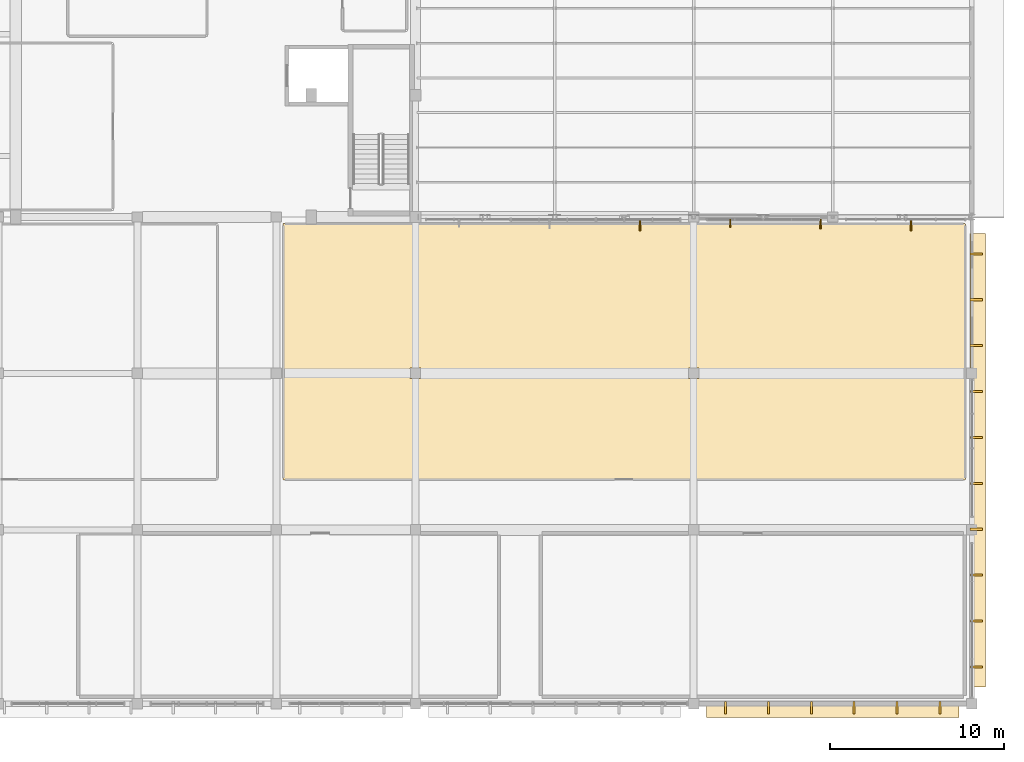
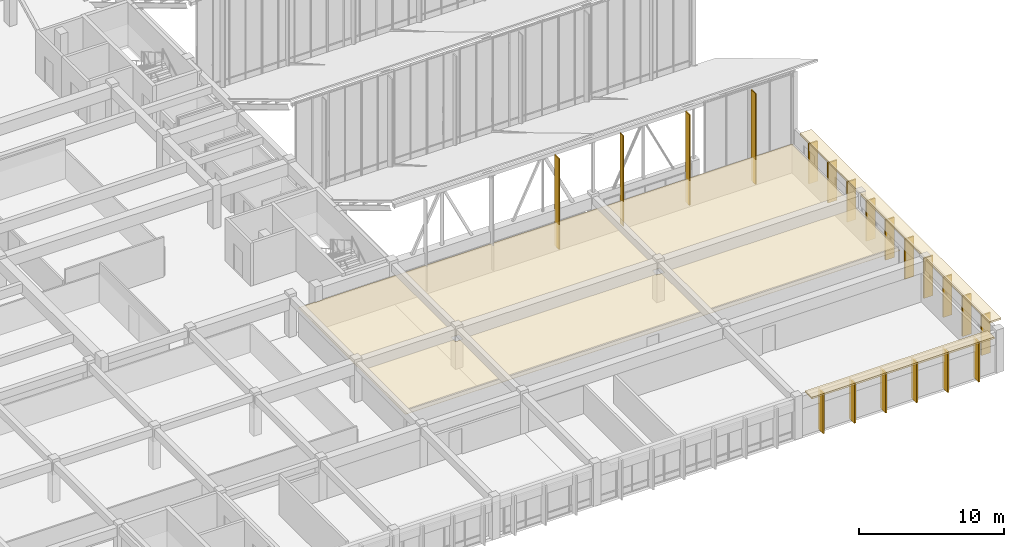
# One storey, part 147 of 155: 19 coverings, 4 shading devices.
"""IFC4 building model written with IfcOpenShell, lengths in metres."""

import ifcopenshell
import ifcopenshell.guid

model = None  # the IFC model being written
_history = None  # IfcOwnerHistory: only IFC2X3 demands one
_inside = {}  # id of a spatial element -> (the spatial element, [elements in it])
_under = {}  # id of a project, library or spatial element -> (it, [spatial elements below it])
_declared = {}  # id of a project -> (the project, [libraries it declares])
_typed = {}  # id of a type object -> (the type object, [elements of that type])
_made_of = {}  # id of a material, layer set ... -> (it, [elements and type objects made of it])


def new_model(schema):
    """Start an empty IFC model of exactly this schema.

    Asked for "IFC4X3", IfcOpenShell would pick the latest addendum, in which some entities
    have other attributes; the version numbers below select the first issue.
    IFC2X3 requires an IfcOwnerHistory on every rooted entity: one is made here for all.
    """
    global model, _history
    if schema == "IFC4X3":
        model = ifcopenshell.file(schema_version=(4, 3, 0, 0))
    else:
        model = ifcopenshell.file(schema=schema)
    _inside.clear()
    _under.clear()
    _declared.clear()
    _typed.clear()
    _made_of.clear()
    _history = None
    if model.schema == "IFC2X3":
        org = make("IfcOrganization", Name="unknown")
        user = make(
            "IfcPersonAndOrganization",
            ThePerson=make("IfcPerson", FamilyName="unknown"),
            TheOrganization=org,
        )
        app = make(
            "IfcApplication",
            ApplicationDeveloper=org,
            Version="unknown",
            ApplicationFullName="unknown",
            ApplicationIdentifier="unknown",
        )
        _history = make(
            "IfcOwnerHistory",
            OwningUser=user,
            OwningApplication=app,
            ChangeAction="ADDED",
            CreationDate=0,
        )
    return model


def make(cls, **values):
    """One entity of the class cls with the attributes given. An attribute that is None is left unset."""
    return model.create_entity(
        cls, **{name: value for name, value in values.items() if value is not None}
    )


def rooted(cls, **values):
    """An entity with a GlobalId (a new one), such as an element, a storey or a relation."""
    return make(cls, GlobalId=ifcopenshell.guid.new(), OwnerHistory=_history, **values)


def si_unit(unit_type, name, prefix=None):
    """IfcSIUnit, for example si_unit("LENGTHUNIT", "METRE", prefix="MILLI")."""
    return make("IfcSIUnit", UnitType=unit_type, Prefix=prefix, Name=name)


def assignment(units):
    """IfcUnitAssignment: the units of a project."""
    return None if units is None else make("IfcUnitAssignment", Units=units)


def point(xyz):
    """IfcCartesianPoint."""
    return None if xyz is None else make("IfcCartesianPoint", Coordinates=xyz)


def direction(xyz):
    """IfcDirection."""
    return None if xyz is None else make("IfcDirection", DirectionRatios=xyz)


def frame(location, z_axis=None, x_axis=None):
    """IfcAxis2Placement3D, a coordinate frame: its origin and axes. An axis left out is left unset."""
    return make(
        "IfcAxis2Placement3D",
        Location=point(location),
        Axis=direction(z_axis),
        RefDirection=direction(x_axis),
    )


def frame_2d(location, x_axis=None):
    """IfcAxis2Placement2D, a coordinate frame in the plane: its origin and x axis."""
    return make(
        "IfcAxis2Placement2D", Location=point(location), RefDirection=direction(x_axis)
    )


def origin():
    """The frame at (0, 0, 0) with its axes left unset."""
    return frame((0.0, 0.0, 0.0))


def origin_2d():
    """The frame at (0, 0) in the plane with its x axis left unset."""
    return frame_2d((0.0, 0.0))


def place(relative_to, where):
    """IfcLocalPlacement: puts the frame where relative to a parent placement (None: the world)."""
    return make(
        "IfcLocalPlacement", PlacementRelTo=relative_to, RelativePlacement=where
    )


def context(
    kind, dimensions, precision=None, world=None, true_north=None, identifier=None
):
    """IfcGeometricRepresentationContext, for example the 3D "Model" context."""
    return make(
        "IfcGeometricRepresentationContext",
        ContextIdentifier=identifier,
        ContextType=kind,
        CoordinateSpaceDimension=dimensions,
        Precision=precision,
        WorldCoordinateSystem=world,
        TrueNorth=true_north,
    )


def subcontext(parent, identifier, kind, view, scale=None):
    """IfcGeometricRepresentationSubContext, for example "Body" below "Model"."""
    return make(
        "IfcGeometricRepresentationSubContext",
        ContextIdentifier=identifier,
        ContextType=kind,
        ParentContext=parent,
        TargetScale=scale,
        TargetView=view,
    )


def project(units=None, contexts=None):
    """IfcProject with its units and contexts."""
    return rooted(
        "IfcProject",
        Name="project",
        RepresentationContexts=contexts,
        UnitsInContext=assignment(units),
    )


def spatial(cls, under=None, at=None, **own):
    """A site, building, storey or space (cls), placed at a placement, below another one or the project."""
    s = rooted(cls, ObjectPlacement=at, **own)
    if under is not None:
        _under.setdefault(under.id(), (under, []))[1].append(s)
    return s


def polyline(points):
    """IfcPolyline through the points."""
    return make("IfcPolyline", Points=[point(p) for p in points])


def profile(cls, at=None, kind="AREA", **sizes):
    """A parametric profile (cls). Its sizes go by their IFC names, for example OverallWidth=200.0."""
    return make(cls, ProfileType=kind, Position=at, **sizes)


def rectangle(**sizes):
    """IfcRectangleProfileDef."""
    return profile("IfcRectangleProfileDef", **sizes)


def outline(outer, holes=None, kind="AREA"):
    """IfcArbitraryClosedProfileDef: a profile drawn as a closed curve; with holes, ...WithVoids."""
    if holes is None:
        return make("IfcArbitraryClosedProfileDef", ProfileType=kind, OuterCurve=outer)
    return make(
        "IfcArbitraryProfileDefWithVoids",
        ProfileType=kind,
        OuterCurve=outer,
        InnerCurves=holes,
    )


def extrude(swept, where, along, depth):
    """IfcExtrudedAreaSolid: the profile swept, set in the frame where, extruded along a direction by depth."""
    return make(
        "IfcExtrudedAreaSolid",
        SweptArea=swept,
        Position=where,
        ExtrudedDirection=direction(along),
        Depth=depth,
    )


def shape(context_of_items, identifier, shape_type, items):
    """IfcShapeRepresentation: the items that make up one representation, for example the "Body"."""
    return make(
        "IfcShapeRepresentation",
        ContextOfItems=context_of_items,
        RepresentationIdentifier=identifier,
        RepresentationType=shape_type,
        Items=items,
    )


def material(Name=None, Category=None):
    """IfcMaterial."""
    return make("IfcMaterial", Name=Name, Category=Category)


def layer(
    of_material, thickness, ventilated=None, Name=None, Category=None, Priority=None
):
    """IfcMaterialLayer: one layer of a wall or slab, of a material (None: an air gap)."""
    return make(
        "IfcMaterialLayer",
        Material=of_material,
        LayerThickness=thickness,
        IsVentilated=ventilated,
        Name=Name,
        Category=Category,
        Priority=Priority,
    )


def layer_set(layers, Name=None):
    """IfcMaterialLayerSet."""
    return make("IfcMaterialLayerSet", MaterialLayers=layers, LayerSetName=Name)


def made_of(thing, what):
    """Note that an element or type object is made of a material, layer set ...; save() writes the relation."""
    if what is not None:
        _made_of.setdefault(what.id(), (what, []))[1].append(thing)
    return thing


def type_object(cls, material=None, **own):
    """A type object (cls), such as IfcWallType, which elements share."""
    return made_of(rooted(cls, **own), material)


def element(
    cls,
    number,
    at=None,
    inside=None,
    cuts=None,
    type_object=None,
    material=None,
    context=None,
    identifier="Body",
    shape_type=None,
    held_by="IfcProductDefinitionShape",
    body=None,
    shapes=None,
    **own,
):
    """One element of the class cls, such as IfcWall. Its Tag is "e" and its number.

    at: its placement. inside: the storey or other place that contains it. cuts: it is an
    opening in that element (IfcRelVoidsElement). A single representation is given by context,
    identifier, shape_type and body (its items); several are given by shapes. held_by: the class
    of the entity that holds the representations. save() writes the other relations.
    """
    e = rooted(cls, Tag="e%d" % number, ObjectPlacement=at, **own)
    if body is not None:
        shapes = [shape(context, identifier, shape_type, body)]
    if shapes is not None:
        e.Representation = make(held_by, Representations=shapes)
    if inside is not None:
        _inside.setdefault(inside.id(), (inside, []))[1].append(e)
    if cuts is not None:
        rooted(
            "IfcRelVoidsElement", RelatingBuildingElement=cuts, RelatedOpeningElement=e
        )
    if type_object is not None:
        _typed.setdefault(type_object.id(), (type_object, []))[1].append(e)
    return made_of(e, material)


def aggregate(whole, parts):
    """IfcRelAggregates: a whole, such as a stair, and the parts it consists of."""
    return rooted("IfcRelAggregates", RelatingObject=whole, RelatedObjects=parts)


def save(model, path):
    """Write the relations noted so far, then the file.

    IfcRelAggregates (storeys below a building ...), IfcRelContainedInSpatialStructure (elements
    in a storey), IfcRelDefinesByType, IfcRelAssociatesMaterial and IfcRelDeclares: one each for
    every whole, place, type object, material and project.
    """
    for whole, parts in _under.values():
        aggregate(whole, parts)
    for where, things in _inside.values():
        rooted(
            "IfcRelContainedInSpatialStructure",
            RelatedElements=things,
            RelatingStructure=where,
        )
    for kind, things in _typed.values():
        rooted("IfcRelDefinesByType", RelatedObjects=things, RelatingType=kind)
    for what, things in _made_of.values():
        rooted("IfcRelAssociatesMaterial", RelatedObjects=things, RelatingMaterial=what)
    for by, libraries in _declared.values():
        rooted("IfcRelDeclares", RelatingContext=by, RelatedDefinitions=libraries)
    model.write(path)


model = new_model("IFC4")

# Units and contexts
model_context = context("Model", 3, precision=1e-05, world=origin(), true_north=direction((0.0, 1.0)))
body_context = subcontext(model_context, "Body", "Model", "MODEL_VIEW")
ifc_project = project(units=[si_unit("LENGTHUNIT", "METRE"), si_unit("AREAUNIT", "SQUARE_METRE"), si_unit("VOLUMEUNIT", "CUBIC_METRE"), si_unit("PLANEANGLEUNIT", "RADIAN"), si_unit("MASSUNIT", "GRAM", prefix="KILO")], contexts=[model_context])

# Site, building, storey
site_placement = place(None, origin())
site = spatial("IfcSite", under=ifc_project, at=site_placement, CompositionType="ELEMENT")
building_placement = place(site_placement, origin())
building = spatial("IfcBuilding", under=site, at=building_placement, Name="Larkveld Mobility Hub", CompositionType="ELEMENT")
storey_placement = place(building_placement, frame((0.0, 0.0, 8.39990234375)))
storey = spatial("IfcBuildingStorey", under=building, at=storey_placement, Name="L02", CompositionType="ELEMENT", Elevation=8.39990234375)

# Coverings
ifc_material_1 = material(Name="Precast concrete C50/60", Category="concrete")
ifc_layer_1 = layer(ifc_material_1, 0.14990234375, Name="Precast concrete C50/60", Category="concrete")
ifc_layer_set_1 = layer_set([ifc_layer_1], Name="Precast concrete C50/60")
covering_type_1 = type_object("IfcCoveringType", Name="COV-QSL-H01", PredefinedType="CLADDING", material=ifc_layer_set_1)
covering_1_placement = place(storey_placement, frame((176.0, -0.340087890625, 3.3701171875), z_axis=(0.0, 0.0, 1.0), x_axis=(1.0, 0.0, 0.0)))
element("IfcCovering", 1, at=covering_1_placement, inside=storey, type_object=covering_type_1, Name="Precast Quebra-Sol Horizontal Sunbreaker QSH-270", PredefinedType="CLADDING", context=body_context, shape_type="SweptSolid", body=[
    extrude(rectangle(XDim=14.5, YDim=0.919921875, at=origin_2d()), origin(), (0.0, 0.0, 1.0), 0.14990234375),
])
covering_2_placement = place(storey_placement, frame((184.340087890625, 14.0, 3.3701171875), z_axis=(0.0, 0.0, 1.0), x_axis=(0.0, 1.0, 0.0)))
element("IfcCovering", 2, at=covering_2_placement, inside=storey, type_object=covering_type_1, Name="Precast Quebra-Sol Horizontal Sunbreaker QSH-277", PredefinedType="CLADDING", context=body_context, shape_type="SweptSolid", body=[
    extrude(rectangle(XDim=26.10009765625, YDim=0.919921875, at=origin_2d()), origin(), (0.0, 0.0, 1.0), 0.14990234375),
])
ifc_layer_2 = layer(ifc_material_1, 0.1201171875, Name="Precast concrete C50/60", Category="concrete")
ifc_layer_set_2 = layer_set([ifc_layer_2], Name="Precast concrete C50/60")
covering_type_2 = type_object("IfcCoveringType", Name="COV-QSL-V01", PredefinedType="CLADDING", material=ifc_layer_set_2)
for number, where, z_axis, x_axis, name in (
    (3, (169.8330078125, -0.239990234375, -0.019287109375), (0.0, 0.0, 1.0), (1.0, 0.0, 0.0), "Precast Quebra-Sol Vertical Fin QSV-271"),
    (4, (172.300048828125, -0.239990234375, -0.019287109375), (0.0, 0.0, 1.0), (1.0, 0.0, 0.0), "Precast Quebra-Sol Vertical Fin QSV-272"),
    (5, (174.76708984375, -0.239990234375, -0.019287109375), (0.0, 0.0, 1.0), (1.0, 0.0, 0.0), "Precast Quebra-Sol Vertical Fin QSV-273"),
    (6, (177.23291015625, -0.239990234375, -0.019287109375), (0.0, 0.0, 1.0), (1.0, 0.0, 0.0), "Precast Quebra-Sol Vertical Fin QSV-274"),
    (7, (179.699951171875, -0.239990234375, -0.019287109375), (0.0, 0.0, 1.0), (1.0, 0.0, 0.0), "Precast Quebra-Sol Vertical Fin QSV-275"),
    (8, (182.1669921875, -0.239990234375, -0.019287109375), (0.0, 0.0, 1.0), (1.0, 0.0, 0.0), "Precast Quebra-Sol Vertical Fin QSV-276"),
    (9, (184.239990234375, 2.1201171875, -0.019287109375), (0.0, 0.0, 1.0), (0.0, 1.0, 0.0), "Precast Quebra-Sol Vertical Fin QSV-278"),
    (10, (184.239990234375, 4.760009765625, -0.019287109375), (0.0, 0.0, 1.0), (0.0, 1.0, 0.0), "Precast Quebra-Sol Vertical Fin QSV-279"),
    (11, (184.239990234375, 7.39990234375, -0.019287109375), (0.0, 0.0, 1.0), (0.0, 1.0, 0.0), "Precast Quebra-Sol Vertical Fin QSV-280"),
    (12, (184.239990234375, 10.0400390625, -0.019287109375), (0.0, 0.0, 1.0), (0.0, 1.0, 0.0), "Precast Quebra-Sol Vertical Fin QSV-281"),
    (13, (184.239990234375, 12.679931640625, -0.019287109375), (0.0, 0.0, 1.0), (0.0, 1.0, 0.0), "Precast Quebra-Sol Vertical Fin QSV-282"),
    (14, (184.239990234375, 15.320068359375, -0.019287109375), (0.0, 0.0, 1.0), (0.0, 1.0, 0.0), "Precast Quebra-Sol Vertical Fin QSV-283"),
    (15, (184.239990234375, 17.9599609375, -0.019287109375), (0.0, 0.0, 1.0), (0.0, 1.0, 0.0), "Precast Quebra-Sol Vertical Fin QSV-284"),
    (16, (184.239990234375, 20.60009765625, -0.019287109375), (0.0, 0.0, 1.0), (0.0, 1.0, 0.0), "Precast Quebra-Sol Vertical Fin QSV-285"),
    (17, (184.239990234375, 23.239990234375, -0.019287109375), (0.0, 0.0, 1.0), (0.0, 1.0, 0.0), "Precast Quebra-Sol Vertical Fin QSV-286"),
    (18, (184.239990234375, 25.8798828125, -0.019287109375), (0.0, 0.0, 1.0), (0.0, 1.0, 0.0), "Precast Quebra-Sol Vertical Fin QSV-287"),
):
    element("IfcCovering", number, at=place(storey_placement, frame(where, z_axis=z_axis, x_axis=x_axis)), inside=storey, type_object=covering_type_2, Name=name, PredefinedType="CLADDING", context=body_context, shape_type="SweptSolid", body=[
        extrude(rectangle(XDim=0.1201171875, YDim=0.719970703125, at=origin_2d()), origin(), (0.0, 0.0, 1.0), 3.375),
    ])
ifc_material_2 = material(Name="Moisture-resistant gypsum board ceiling", Category="masonry")
ifc_layer_3 = layer(ifc_material_2, 0.02490234375, Name="Moisture-resistant gypsum board ceiling", Category="masonry")
ifc_layer_set_3 = layer_set([ifc_layer_3], Name="Moisture-resistant gypsum board ceiling")
covering_type_3 = type_object("IfcCoveringType", Name="CV-CLG-025", PredefinedType="CEILING", material=ifc_layer_set_3)
covering_3_placement = place(storey_placement, frame((0.0, 0.0, 2.3251953125)))
element("IfcCovering", 19, at=covering_3_placement, inside=storey, type_object=covering_type_3, Name="Driver Simulation and Safety Training Suite Acoustic Ceiling 033", PredefinedType="CEILING", context=body_context, shape_type="SweptSolid", body=[
    extrude(outline(polyline([(144.4169921875, 12.8701171875), (144.4140625, 12.87109375), (144.410888671875, 12.87109375), (144.408935546875, 12.8720703125), (144.406005859375, 12.8740234375), (144.403076171875, 12.875), (144.40087890625, 12.876953125), (144.39892578125, 12.87890625), (144.37890625, 12.89892578125), (144.376953125, 12.90087890625), (144.375, 12.903076171875), (144.3740234375, 12.906005859375), (144.3720703125, 12.908935546875), (144.37109375, 12.910888671875), (144.37109375, 12.9140625), (144.3701171875, 12.9169921875), (144.3701171875, 12.919921875), (144.3701171875, 27.580078125), (144.3701171875, 27.5830078125), (144.37109375, 27.5859375), (144.37109375, 27.589111328125), (144.3720703125, 27.591064453125), (144.3740234375, 27.593994140625), (144.375, 27.596923828125), (144.386962890625, 27.614990234375), (144.388916015625, 27.617919921875), (144.39111328125, 27.6201171875), (144.39306640625, 27.6220703125), (144.39599609375, 27.623046875), (144.39794921875, 27.625), (144.40087890625, 27.6259765625), (144.404052734375, 27.626953125), (144.406005859375, 27.6279296875), (144.408935546875, 27.6279296875), (144.412109375, 27.6279296875), (145.695068359375, 27.62890625), (145.695068359375, 27.594970703125), (146.304931640625, 27.594970703125), (146.304931640625, 27.62890625), (183.580078125, 27.6298828125), (183.5830078125, 27.6298828125), (183.5859375, 27.62890625), (183.589111328125, 27.62890625), (183.591064453125, 27.6279296875), (183.593994140625, 27.6259765625), (183.596923828125, 27.625), (183.614990234375, 27.613037109375), (183.617919921875, 27.611083984375), (183.6201171875, 27.60888671875), (183.6220703125, 27.60693359375), (183.623046875, 27.60400390625), (183.625, 27.60205078125), (183.6259765625, 27.59912109375), (183.626953125, 27.595947265625), (183.6279296875, 27.593994140625), (183.6279296875, 27.591064453125), (183.6279296875, 27.587890625), (183.6298828125, 12.919921875), (183.6298828125, 12.9169921875), (183.62890625, 12.9140625), (183.62890625, 12.910888671875), (183.6279296875, 12.908935546875), (183.6259765625, 12.906005859375), (183.625, 12.903076171875), (183.613037109375, 12.885009765625), (183.611083984375, 12.882080078125), (183.60888671875, 12.8798828125), (183.60693359375, 12.8779296875), (183.60400390625, 12.876953125), (183.60205078125, 12.875), (183.59912109375, 12.8740234375), (183.595947265625, 12.873046875), (183.593994140625, 12.8720703125), (183.591064453125, 12.8720703125), (183.587890625, 12.8720703125), (144.419921875, 12.8701171875), (144.4169921875, 12.8701171875)]), holes=[polyline([(151.695068359375, 18.695068359375), (152.304931640625, 18.695068359375), (152.304931640625, 19.304931640625), (151.695068359375, 19.304931640625), (151.695068359375, 18.695068359375)]), polyline([(167.695068359375, 19.304931640625), (167.695068359375, 18.695068359375), (168.304931640625, 18.695068359375), (168.304931640625, 19.304931640625), (167.695068359375, 19.304931640625)])]), origin(), (0.0, 0.0, 1.0), 0.02490234375),
])

# Shading devices
ifc_layer_4 = layer(ifc_material_1, 0.06494140625, Name="Precast concrete C50/60", Category="concrete")
ifc_layer_set_4 = layer_set([ifc_layer_4], Name="Precast concrete C50/60")
shading_device_type_1 = type_object("IfcShadingDeviceType", Name="SHD-JAL-01", PredefinedType="JALOUSIE", material=ifc_layer_set_4)
shading_device_1_placement = place(storey_placement, frame((170.10009765625, 27.639892578125, 0.300048828125), z_axis=(0.0, 0.0, 1.0), x_axis=(1.0, 0.0, 0.0)))
element("IfcShadingDevice", 20, at=shading_device_1_placement, inside=storey, type_object=shading_device_type_1, Name="Sawtooth South-Light Brise-Soleil Fin SF-004", PredefinedType="JALOUSIE", context=body_context, shape_type="SweptSolid", body=[
    extrude(rectangle(XDim=0.06494140625, YDim=0.449951171875, at=origin_2d()), origin(), (0.0, 0.0, 1.0), 7.60009765625),
])
ifc_layer_5 = layer(ifc_material_1, 0.074951171875, Name="Precast concrete C50/60", Category="concrete")
ifc_layer_set_5 = layer_set([ifc_layer_5], Name="Precast concrete C50/60")
shading_device_type_2 = type_object("IfcShadingDeviceType", Name="SHD-JAL-02", PredefinedType="JALOUSIE", material=ifc_layer_set_5)
shading_device_2_placement = place(storey_placement, frame((175.300048828125, 27.590087890625, 0.300048828125), z_axis=(0.0, 0.0, 1.0), x_axis=(1.0, 0.0, 0.0)))
element("IfcShadingDevice", 21, at=shading_device_2_placement, inside=storey, type_object=shading_device_type_2, Name="Sawtooth South-Light Brise-Soleil Fin SF-005", PredefinedType="JALOUSIE", context=body_context, shape_type="SweptSolid", body=[
    extrude(rectangle(XDim=0.074951171875, YDim=0.550048828125, at=origin_2d()), origin(), (0.0, 0.0, 1.0), 7.60009765625),
])
ifc_layer_6 = layer(ifc_material_1, 0.0849609375, Name="Precast concrete C50/60", Category="concrete")
ifc_layer_set_6 = layer_set([ifc_layer_6], Name="Precast concrete C50/60")
shading_device_type_3 = type_object("IfcShadingDeviceType", Name="SHD-JAL-03", PredefinedType="JALOUSIE", material=ifc_layer_set_6)
for number, where, z_axis, x_axis, name in (
    (22, (164.89990234375, 27.5400390625, 0.300048828125), (0.0, 0.0, 1.0), (1.0, 0.0, 0.0), "Sawtooth South-Light Brise-Soleil Fin SF-003"),
    (23, (180.5, 27.5400390625, 0.300048828125), (0.0, 0.0, 1.0), (1.0, 0.0, 0.0), "Sawtooth South-Light Brise-Soleil Fin SF-006"),
):
    element("IfcShadingDevice", number, at=place(storey_placement, frame(where, z_axis=z_axis, x_axis=x_axis)), inside=storey, type_object=shading_device_type_3, Name=name, PredefinedType="JALOUSIE", context=body_context, shape_type="SweptSolid", body=[
        extrude(rectangle(XDim=0.0849609375, YDim=0.64990234375, at=origin_2d()), origin(), (0.0, 0.0, 1.0), 7.60009765625),
    ])

save(model, "model.ifc")
